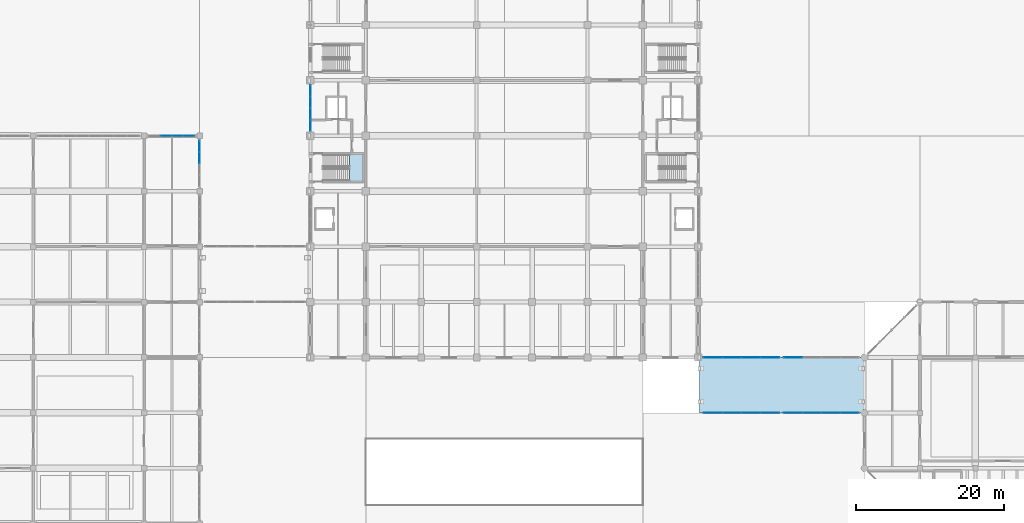
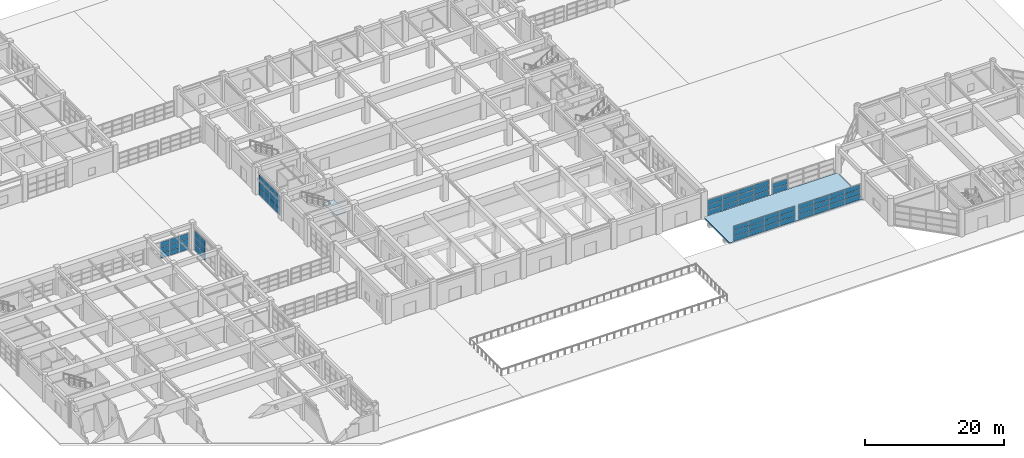
# One storey, part 74 of 122: 65 plates, 2 slabs, 8 elements without a shape of their own.
"""IFC4 building model written with IfcOpenShell, lengths in metres."""

import ifcopenshell
import ifcopenshell.guid

model = None  # the IFC model being written
_history = None  # IfcOwnerHistory: only IFC2X3 demands one
_inside = {}  # id of a spatial element -> (the spatial element, [elements in it])
_under = {}  # id of a project, library or spatial element -> (it, [spatial elements below it])
_declared = {}  # id of a project -> (the project, [libraries it declares])
_typed = {}  # id of a type object -> (the type object, [elements of that type])
_made_of = {}  # id of a material, layer set ... -> (it, [elements and type objects made of it])


def new_model(schema):
    """Start an empty IFC model of exactly this schema.

    Asked for "IFC4X3", IfcOpenShell would pick the latest addendum, in which some entities
    have other attributes; the version numbers below select the first issue.
    IFC2X3 requires an IfcOwnerHistory on every rooted entity: one is made here for all.
    """
    global model, _history
    if schema == "IFC4X3":
        model = ifcopenshell.file(schema_version=(4, 3, 0, 0))
    else:
        model = ifcopenshell.file(schema=schema)
    _inside.clear()
    _under.clear()
    _declared.clear()
    _typed.clear()
    _made_of.clear()
    _history = None
    if model.schema == "IFC2X3":
        org = make("IfcOrganization", Name="unknown")
        user = make(
            "IfcPersonAndOrganization",
            ThePerson=make("IfcPerson", FamilyName="unknown"),
            TheOrganization=org,
        )
        app = make(
            "IfcApplication",
            ApplicationDeveloper=org,
            Version="unknown",
            ApplicationFullName="unknown",
            ApplicationIdentifier="unknown",
        )
        _history = make(
            "IfcOwnerHistory",
            OwningUser=user,
            OwningApplication=app,
            ChangeAction="ADDED",
            CreationDate=0,
        )
    return model


def make(cls, **values):
    """One entity of the class cls with the attributes given. An attribute that is None is left unset."""
    return model.create_entity(
        cls, **{name: value for name, value in values.items() if value is not None}
    )


def rooted(cls, **values):
    """An entity with a GlobalId (a new one), such as an element, a storey or a relation."""
    return make(cls, GlobalId=ifcopenshell.guid.new(), OwnerHistory=_history, **values)


def si_unit(unit_type, name, prefix=None):
    """IfcSIUnit, for example si_unit("LENGTHUNIT", "METRE", prefix="MILLI")."""
    return make("IfcSIUnit", UnitType=unit_type, Prefix=prefix, Name=name)


def assignment(units):
    """IfcUnitAssignment: the units of a project."""
    return None if units is None else make("IfcUnitAssignment", Units=units)


def point(xyz):
    """IfcCartesianPoint."""
    return None if xyz is None else make("IfcCartesianPoint", Coordinates=xyz)


def direction(xyz):
    """IfcDirection."""
    return None if xyz is None else make("IfcDirection", DirectionRatios=xyz)


def frame(location, z_axis=None, x_axis=None):
    """IfcAxis2Placement3D, a coordinate frame: its origin and axes. An axis left out is left unset."""
    return make(
        "IfcAxis2Placement3D",
        Location=point(location),
        Axis=direction(z_axis),
        RefDirection=direction(x_axis),
    )


def frame_2d(location, x_axis=None):
    """IfcAxis2Placement2D, a coordinate frame in the plane: its origin and x axis."""
    return make(
        "IfcAxis2Placement2D", Location=point(location), RefDirection=direction(x_axis)
    )


def origin():
    """The frame at (0, 0, 0) with its axes left unset."""
    return frame((0.0, 0.0, 0.0))


def origin_2d():
    """The frame at (0, 0) in the plane with its x axis left unset."""
    return frame_2d((0.0, 0.0))


def place(relative_to, where):
    """IfcLocalPlacement: puts the frame where relative to a parent placement (None: the world)."""
    return make(
        "IfcLocalPlacement", PlacementRelTo=relative_to, RelativePlacement=where
    )


def context(
    kind, dimensions, precision=None, world=None, true_north=None, identifier=None
):
    """IfcGeometricRepresentationContext, for example the 3D "Model" context."""
    return make(
        "IfcGeometricRepresentationContext",
        ContextIdentifier=identifier,
        ContextType=kind,
        CoordinateSpaceDimension=dimensions,
        Precision=precision,
        WorldCoordinateSystem=world,
        TrueNorth=true_north,
    )


def subcontext(parent, identifier, kind, view, scale=None):
    """IfcGeometricRepresentationSubContext, for example "Body" below "Model"."""
    return make(
        "IfcGeometricRepresentationSubContext",
        ContextIdentifier=identifier,
        ContextType=kind,
        ParentContext=parent,
        TargetScale=scale,
        TargetView=view,
    )


def project(units=None, contexts=None):
    """IfcProject with its units and contexts."""
    return rooted(
        "IfcProject",
        Name="project",
        RepresentationContexts=contexts,
        UnitsInContext=assignment(units),
    )


def spatial(cls, under=None, at=None, **own):
    """A site, building, storey or space (cls), placed at a placement, below another one or the project."""
    s = rooted(cls, ObjectPlacement=at, **own)
    if under is not None:
        _under.setdefault(under.id(), (under, []))[1].append(s)
    return s


def polyline(points):
    """IfcPolyline through the points."""
    return make("IfcPolyline", Points=[point(p) for p in points])


def profile(cls, at=None, kind="AREA", **sizes):
    """A parametric profile (cls). Its sizes go by their IFC names, for example OverallWidth=200.0."""
    return make(cls, ProfileType=kind, Position=at, **sizes)


def rectangle(**sizes):
    """IfcRectangleProfileDef."""
    return profile("IfcRectangleProfileDef", **sizes)


def outline(outer, holes=None, kind="AREA"):
    """IfcArbitraryClosedProfileDef: a profile drawn as a closed curve; with holes, ...WithVoids."""
    if holes is None:
        return make("IfcArbitraryClosedProfileDef", ProfileType=kind, OuterCurve=outer)
    return make(
        "IfcArbitraryProfileDefWithVoids",
        ProfileType=kind,
        OuterCurve=outer,
        InnerCurves=holes,
    )


def extrude(swept, where, along, depth):
    """IfcExtrudedAreaSolid: the profile swept, set in the frame where, extruded along a direction by depth."""
    return make(
        "IfcExtrudedAreaSolid",
        SweptArea=swept,
        Position=where,
        ExtrudedDirection=direction(along),
        Depth=depth,
    )


def shape(context_of_items, identifier, shape_type, items):
    """IfcShapeRepresentation: the items that make up one representation, for example the "Body"."""
    return make(
        "IfcShapeRepresentation",
        ContextOfItems=context_of_items,
        RepresentationIdentifier=identifier,
        RepresentationType=shape_type,
        Items=items,
    )


def material(Name=None, Category=None):
    """IfcMaterial."""
    return make("IfcMaterial", Name=Name, Category=Category)


def layer(
    of_material, thickness, ventilated=None, Name=None, Category=None, Priority=None
):
    """IfcMaterialLayer: one layer of a wall or slab, of a material (None: an air gap)."""
    return make(
        "IfcMaterialLayer",
        Material=of_material,
        LayerThickness=thickness,
        IsVentilated=ventilated,
        Name=Name,
        Category=Category,
        Priority=Priority,
    )


def layer_set(layers, Name=None):
    """IfcMaterialLayerSet."""
    return make("IfcMaterialLayerSet", MaterialLayers=layers, LayerSetName=Name)


def made_of(thing, what):
    """Note that an element or type object is made of a material, layer set ...; save() writes the relation."""
    if what is not None:
        _made_of.setdefault(what.id(), (what, []))[1].append(thing)
    return thing


def type_object(cls, material=None, **own):
    """A type object (cls), such as IfcWallType, which elements share."""
    return made_of(rooted(cls, **own), material)


def element(
    cls,
    number,
    at=None,
    inside=None,
    cuts=None,
    type_object=None,
    material=None,
    context=None,
    identifier="Body",
    shape_type=None,
    held_by="IfcProductDefinitionShape",
    body=None,
    shapes=None,
    **own,
):
    """One element of the class cls, such as IfcWall. Its Tag is "e" and its number.

    at: its placement. inside: the storey or other place that contains it. cuts: it is an
    opening in that element (IfcRelVoidsElement). A single representation is given by context,
    identifier, shape_type and body (its items); several are given by shapes. held_by: the class
    of the entity that holds the representations. save() writes the other relations.
    """
    e = rooted(cls, Tag="e%d" % number, ObjectPlacement=at, **own)
    if body is not None:
        shapes = [shape(context, identifier, shape_type, body)]
    if shapes is not None:
        e.Representation = make(held_by, Representations=shapes)
    if inside is not None:
        _inside.setdefault(inside.id(), (inside, []))[1].append(e)
    if cuts is not None:
        rooted(
            "IfcRelVoidsElement", RelatingBuildingElement=cuts, RelatedOpeningElement=e
        )
    if type_object is not None:
        _typed.setdefault(type_object.id(), (type_object, []))[1].append(e)
    return made_of(e, material)


def aggregate(whole, parts):
    """IfcRelAggregates: a whole, such as a stair, and the parts it consists of."""
    return rooted("IfcRelAggregates", RelatingObject=whole, RelatedObjects=parts)


def save(model, path):
    """Write the relations noted so far, then the file.

    IfcRelAggregates (storeys below a building ...), IfcRelContainedInSpatialStructure (elements
    in a storey), IfcRelDefinesByType, IfcRelAssociatesMaterial and IfcRelDeclares: one each for
    every whole, place, type object, material and project.
    """
    for whole, parts in _under.values():
        aggregate(whole, parts)
    for where, things in _inside.values():
        rooted(
            "IfcRelContainedInSpatialStructure",
            RelatedElements=things,
            RelatingStructure=where,
        )
    for kind, things in _typed.values():
        rooted("IfcRelDefinesByType", RelatedObjects=things, RelatingType=kind)
    for what, things in _made_of.values():
        rooted("IfcRelAssociatesMaterial", RelatedObjects=things, RelatingMaterial=what)
    for by, libraries in _declared.values():
        rooted("IfcRelDeclares", RelatingContext=by, RelatedDefinitions=libraries)
    model.write(path)


model = new_model("IFC4")

# Units and contexts
model_context = context("Model", 3, precision=1e-05, world=origin(), true_north=direction((0.0, 1.0)))
body_context = subcontext(model_context, "Body", "Model", "MODEL_VIEW")
ifc_project = project(units=[si_unit("LENGTHUNIT", "METRE"), si_unit("AREAUNIT", "SQUARE_METRE"), si_unit("VOLUMEUNIT", "CUBIC_METRE"), si_unit("PLANEANGLEUNIT", "RADIAN"), si_unit("MASSUNIT", "GRAM", prefix="KILO")], contexts=[model_context])

# Site, building, storey
site_placement = place(None, origin())
site = spatial("IfcSite", under=ifc_project, at=site_placement, CompositionType="ELEMENT")
building_placement = place(site_placement, origin())
building = spatial("IfcBuilding", under=site, at=building_placement, Name="Qasida Concert Hall", CompositionType="ELEMENT")
storey_placement = place(building_placement, origin())
storey = spatial("IfcBuildingStorey", under=building, at=storey_placement, Name="L00", CompositionType="ELEMENT", Elevation=0.0)

# Curtain wall, plates
ifc_material_1 = material(Name="Architectural bronze-anodized aluminium and low-E glass", Category="aluminium")
curtain_wall_type_1 = type_object("IfcCurtainWallType", Name="CW-01", PredefinedType="NOTDEFINED", material=ifc_material_1)
curtain_wall_1_placement = place(storey_placement, origin())
curtain_wall_1 = element("IfcCurtainWall", 1, at=curtain_wall_1_placement, inside=storey, type_object=curtain_wall_type_1, Name="L00 curtain wall CW-01 0039", PredefinedType="NOTDEFINED")
ifc_material_2 = material(Name="Solar-control low-E double glazing", Category="glass")
ifc_layer_1 = layer(ifc_material_2, 0.035888671875, Name="Solar-control low-E double glazing")
ifc_layer_set_1 = layer_set([ifc_layer_1], Name="Solar-control low-E double glazing")
plate_type_1 = type_object("IfcPlateType", Name="PLT-CWP-1", PredefinedType="CURTAIN_PANEL", material=ifc_layer_set_1)
plate_1_placement = place(storey_placement, frame((52.5, 53.919921875, 0.06494140625), z_axis=(0.0, 0.0, 1.0), x_axis=(0.0, 1.0, 0.0)))
plate_1 = element("IfcPlate", 2, at=plate_1_placement, type_object=plate_type_1, Name="CW-01 panel 1.1", PredefinedType="CURTAIN_PANEL", context=body_context, shape_type="SweptSolid", body=[
    extrude(rectangle(XDim=1.4599609375, YDim=0.035888671875, at=origin_2d()), origin(), (0.0, 0.0, 1.0), 1.125732421875),
])
plate_2_placement = place(storey_placement, frame((52.5, 53.919921875, 1.255859375), z_axis=(0.0, 0.0, 1.0), x_axis=(0.0, 1.0, 0.0)))
plate_2 = element("IfcPlate", 3, at=plate_2_placement, type_object=plate_type_1, Name="CW-01 panel 1.2", PredefinedType="CURTAIN_PANEL", context=body_context, shape_type="SweptSolid", body=[
    extrude(rectangle(XDim=1.4599609375, YDim=0.035888671875, at=origin_2d()), origin(), (0.0, 0.0, 1.0), 1.158447265625),
])
plate_3_placement = place(storey_placement, frame((52.5, 53.919921875, 2.47900390625), z_axis=(0.0, 0.0, 1.0), x_axis=(0.0, 1.0, 0.0)))
plate_3 = element("IfcPlate", 4, at=plate_3_placement, type_object=plate_type_1, Name="CW-01 panel 1.3", PredefinedType="CURTAIN_PANEL", context=body_context, shape_type="SweptSolid", body=[
    extrude(rectangle(XDim=1.4599609375, YDim=0.035888671875, at=origin_2d()), origin(), (0.0, 0.0, 1.0), 1.125732421875),
])
plate_4_placement = place(storey_placement, frame((52.5, 55.467529296875, 0.06494140625), z_axis=(0.0, 0.0, 1.0), x_axis=(0.0, 1.0, 0.0)))
plate_4 = element("IfcPlate", 5, at=plate_4_placement, type_object=plate_type_1, Name="CW-01 panel 2.1", PredefinedType="CURTAIN_PANEL", context=body_context, shape_type="SweptSolid", body=[
    extrude(rectangle(XDim=1.4951171875, YDim=0.035888671875, at=origin_2d()), origin(), (0.0, 0.0, 1.0), 1.125732421875),
])
plate_5_placement = place(storey_placement, frame((52.5, 55.467529296875, 1.255859375), z_axis=(0.0, 0.0, 1.0), x_axis=(0.0, 1.0, 0.0)))
plate_5 = element("IfcPlate", 6, at=plate_5_placement, type_object=plate_type_1, Name="CW-01 panel 2.2", PredefinedType="CURTAIN_PANEL", context=body_context, shape_type="SweptSolid", body=[
    extrude(rectangle(XDim=1.4951171875, YDim=0.035888671875, at=origin_2d()), origin(), (0.0, 0.0, 1.0), 1.158447265625),
])
plate_6_placement = place(storey_placement, frame((52.5, 55.467529296875, 2.47900390625), z_axis=(0.0, 0.0, 1.0), x_axis=(0.0, 1.0, 0.0)))
plate_6 = element("IfcPlate", 7, at=plate_6_placement, type_object=plate_type_1, Name="CW-01 panel 2.3", PredefinedType="CURTAIN_PANEL", context=body_context, shape_type="SweptSolid", body=[
    extrude(rectangle(XDim=1.4951171875, YDim=0.035888671875, at=origin_2d()), origin(), (0.0, 0.0, 1.0), 1.125732421875),
])
plate_7_placement = place(storey_placement, frame((52.5, 57.032470703125, 0.06494140625), z_axis=(0.0, 0.0, 1.0), x_axis=(0.0, 1.0, 0.0)))
plate_7 = element("IfcPlate", 8, at=plate_7_placement, type_object=plate_type_1, Name="CW-01 panel 3.1", PredefinedType="CURTAIN_PANEL", context=body_context, shape_type="SweptSolid", body=[
    extrude(rectangle(XDim=1.4951171875, YDim=0.035888671875, at=origin_2d()), origin(), (0.0, 0.0, 1.0), 1.125732421875),
])
plate_8_placement = place(storey_placement, frame((52.5, 57.032470703125, 1.255859375), z_axis=(0.0, 0.0, 1.0), x_axis=(0.0, 1.0, 0.0)))
plate_8 = element("IfcPlate", 9, at=plate_8_placement, type_object=plate_type_1, Name="CW-01 panel 3.2", PredefinedType="CURTAIN_PANEL", context=body_context, shape_type="SweptSolid", body=[
    extrude(rectangle(XDim=1.4951171875, YDim=0.035888671875, at=origin_2d()), origin(), (0.0, 0.0, 1.0), 1.158447265625),
])
plate_9_placement = place(storey_placement, frame((52.5, 57.032470703125, 2.47900390625), z_axis=(0.0, 0.0, 1.0), x_axis=(0.0, 1.0, 0.0)))
plate_9 = element("IfcPlate", 10, at=plate_9_placement, type_object=plate_type_1, Name="CW-01 panel 3.3", PredefinedType="CURTAIN_PANEL", context=body_context, shape_type="SweptSolid", body=[
    extrude(rectangle(XDim=1.4951171875, YDim=0.035888671875, at=origin_2d()), origin(), (0.0, 0.0, 1.0), 1.125732421875),
])
plate_10_placement = place(storey_placement, frame((52.5, 58.580078125, 0.06494140625), z_axis=(0.0, 0.0, 1.0), x_axis=(0.0, 1.0, 0.0)))
plate_10 = element("IfcPlate", 11, at=plate_10_placement, type_object=plate_type_1, Name="CW-01 panel 4.1", PredefinedType="CURTAIN_PANEL", context=body_context, shape_type="SweptSolid", body=[
    extrude(rectangle(XDim=1.4599609375, YDim=0.035888671875, at=origin_2d()), origin(), (0.0, 0.0, 1.0), 1.125732421875),
])
plate_11_placement = place(storey_placement, frame((52.5, 58.580078125, 1.255859375), z_axis=(0.0, 0.0, 1.0), x_axis=(0.0, 1.0, 0.0)))
plate_11 = element("IfcPlate", 12, at=plate_11_placement, type_object=plate_type_1, Name="CW-01 panel 4.2", PredefinedType="CURTAIN_PANEL", context=body_context, shape_type="SweptSolid", body=[
    extrude(rectangle(XDim=1.4599609375, YDim=0.035888671875, at=origin_2d()), origin(), (0.0, 0.0, 1.0), 1.158447265625),
])
plate_12_placement = place(storey_placement, frame((52.5, 58.580078125, 2.47900390625), z_axis=(0.0, 0.0, 1.0), x_axis=(0.0, 1.0, 0.0)))
plate_12 = element("IfcPlate", 13, at=plate_12_placement, type_object=plate_type_1, Name="CW-01 panel 4.3", PredefinedType="CURTAIN_PANEL", context=body_context, shape_type="SweptSolid", body=[
    extrude(rectangle(XDim=1.4599609375, YDim=0.035888671875, at=origin_2d()), origin(), (0.0, 0.0, 1.0), 1.125732421875),
])
aggregate(curtain_wall_1, [plate_1, plate_2, plate_3, plate_4, plate_5, plate_6, plate_7, plate_8, plate_9, plate_10, plate_11, plate_12])

curtain_wall_type_2 = type_object("IfcCurtainWallType", Name="CW-07", PredefinedType="NOTDEFINED", material=ifc_material_1)
curtain_wall_2_placement = place(storey_placement, origin())
curtain_wall_2 = element("IfcCurtainWall", 14, at=curtain_wall_2_placement, inside=storey, type_object=curtain_wall_type_2, Name="L00 link bridge glazing 0230", PredefinedType="NOTDEFINED")
ifc_layer_2 = layer(ifc_material_2, 0.031982421875, Name="Solar-control low-E double glazing")
ifc_layer_set_2 = layer_set([ifc_layer_2], Name="Solar-control low-E double glazing")
plate_type_2 = type_object("IfcPlateType", Name="PLT-CWP-2", PredefinedType="CURTAIN_PANEL", material=ifc_layer_set_2)
plate_13_placement = place(storey_placement, frame((107.003662109375, 15.0, 0.06005859375), z_axis=(0.0, 0.0, 1.0), x_axis=(1.0, 0.0, 0.0)))
plate_13 = element("IfcPlate", 15, at=plate_13_placement, type_object=plate_type_2, Name="CW-07 panel 1.1", PredefinedType="CURTAIN_PANEL", context=body_context, shape_type="SweptSolid", body=[
    extrude(rectangle(XDim=2.4775390625, YDim=0.031982421875, at=origin_2d()), origin(), (0.0, 0.0, 1.0), 0.860107421875),
])
plate_14_placement = place(storey_placement, frame((107.003662109375, 15.0, 0.97998046875), z_axis=(0.0, 0.0, 1.0), x_axis=(1.0, 0.0, 0.0)))
plate_14 = element("IfcPlate", 16, at=plate_14_placement, type_object=plate_type_2, Name="CW-07 panel 1.2", PredefinedType="CURTAIN_PANEL", context=body_context, shape_type="SweptSolid", body=[
    extrude(rectangle(XDim=2.4775390625, YDim=0.031982421875, at=origin_2d()), origin(), (0.0, 0.0, 1.0), 0.889892578125),
])
plate_15_placement = place(storey_placement, frame((107.003662109375, 15.0, 1.929931640625), z_axis=(0.0, 0.0, 1.0), x_axis=(1.0, 0.0, 0.0)))
plate_15 = element("IfcPlate", 17, at=plate_15_placement, type_object=plate_type_2, Name="CW-07 panel 1.3", PredefinedType="CURTAIN_PANEL", context=body_context, shape_type="SweptSolid", body=[
    extrude(rectangle(XDim=2.4775390625, YDim=0.031982421875, at=origin_2d()), origin(), (0.0, 0.0, 1.0), 0.81005859375),
])
plate_16_placement = place(storey_placement, frame((109.5625, 15.0, 0.06005859375), z_axis=(0.0, 0.0, 1.0), x_axis=(1.0, 0.0, 0.0)))
plate_16 = element("IfcPlate", 18, at=plate_16_placement, type_object=plate_type_2, Name="CW-07 panel 2.1", PredefinedType="CURTAIN_PANEL", context=body_context, shape_type="SweptSolid", body=[
    extrude(rectangle(XDim=2.510009765625, YDim=0.031982421875, at=origin_2d()), origin(), (0.0, 0.0, 1.0), 0.860107421875),
])
plate_17_placement = place(storey_placement, frame((109.5625, 15.0, 0.97998046875), z_axis=(0.0, 0.0, 1.0), x_axis=(1.0, 0.0, 0.0)))
plate_17 = element("IfcPlate", 19, at=plate_17_placement, type_object=plate_type_2, Name="CW-07 panel 2.2", PredefinedType="CURTAIN_PANEL", context=body_context, shape_type="SweptSolid", body=[
    extrude(rectangle(XDim=2.510009765625, YDim=0.031982421875, at=origin_2d()), origin(), (0.0, 0.0, 1.0), 0.889892578125),
])
plate_18_placement = place(storey_placement, frame((109.5625, 15.0, 1.929931640625), z_axis=(0.0, 0.0, 1.0), x_axis=(1.0, 0.0, 0.0)))
plate_18 = element("IfcPlate", 20, at=plate_18_placement, type_object=plate_type_2, Name="CW-07 panel 2.3", PredefinedType="CURTAIN_PANEL", context=body_context, shape_type="SweptSolid", body=[
    extrude(rectangle(XDim=2.510009765625, YDim=0.031982421875, at=origin_2d()), origin(), (0.0, 0.0, 1.0), 0.81005859375),
])
plate_19_placement = place(storey_placement, frame((112.137451171875, 15.0, 0.06005859375), z_axis=(0.0, 0.0, 1.0), x_axis=(1.0, 0.0, 0.0)))
plate_19 = element("IfcPlate", 21, at=plate_19_placement, type_object=plate_type_2, Name="CW-07 panel 3.1", PredefinedType="CURTAIN_PANEL", context=body_context, shape_type="SweptSolid", body=[
    extrude(rectangle(XDim=2.510009765625, YDim=0.031982421875, at=origin_2d()), origin(), (0.0, 0.0, 1.0), 0.860107421875),
])
plate_20_placement = place(storey_placement, frame((112.137451171875, 15.0, 0.97998046875), z_axis=(0.0, 0.0, 1.0), x_axis=(1.0, 0.0, 0.0)))
plate_20 = element("IfcPlate", 22, at=plate_20_placement, type_object=plate_type_2, Name="CW-07 panel 3.2", PredefinedType="CURTAIN_PANEL", context=body_context, shape_type="SweptSolid", body=[
    extrude(rectangle(XDim=2.510009765625, YDim=0.031982421875, at=origin_2d()), origin(), (0.0, 0.0, 1.0), 0.889892578125),
])
plate_21_placement = place(storey_placement, frame((112.137451171875, 15.0, 1.929931640625), z_axis=(0.0, 0.0, 1.0), x_axis=(1.0, 0.0, 0.0)))
plate_21 = element("IfcPlate", 23, at=plate_21_placement, type_object=plate_type_2, Name="CW-07 panel 3.3", PredefinedType="CURTAIN_PANEL", context=body_context, shape_type="SweptSolid", body=[
    extrude(rectangle(XDim=2.510009765625, YDim=0.031982421875, at=origin_2d()), origin(), (0.0, 0.0, 1.0), 0.81005859375),
])
plate_22_placement = place(storey_placement, frame((114.6962890625, 15.0, 0.06005859375), z_axis=(0.0, 0.0, 1.0), x_axis=(1.0, 0.0, 0.0)))
plate_22 = element("IfcPlate", 24, at=plate_22_placement, type_object=plate_type_2, Name="CW-07 panel 4.1", PredefinedType="CURTAIN_PANEL", context=body_context, shape_type="SweptSolid", body=[
    extrude(rectangle(XDim=2.4775390625, YDim=0.031982421875, at=origin_2d()), origin(), (0.0, 0.0, 1.0), 0.860107421875),
])
plate_23_placement = place(storey_placement, frame((114.6962890625, 15.0, 0.97998046875), z_axis=(0.0, 0.0, 1.0), x_axis=(1.0, 0.0, 0.0)))
plate_23 = element("IfcPlate", 25, at=plate_23_placement, type_object=plate_type_2, Name="CW-07 panel 4.2", PredefinedType="CURTAIN_PANEL", context=body_context, shape_type="SweptSolid", body=[
    extrude(rectangle(XDim=2.4775390625, YDim=0.031982421875, at=origin_2d()), origin(), (0.0, 0.0, 1.0), 0.889892578125),
])
plate_24_placement = place(storey_placement, frame((114.6962890625, 15.0, 1.929931640625), z_axis=(0.0, 0.0, 1.0), x_axis=(1.0, 0.0, 0.0)))
plate_24 = element("IfcPlate", 26, at=plate_24_placement, type_object=plate_type_2, Name="CW-07 panel 4.3", PredefinedType="CURTAIN_PANEL", context=body_context, shape_type="SweptSolid", body=[
    extrude(rectangle(XDim=2.4775390625, YDim=0.031982421875, at=origin_2d()), origin(), (0.0, 0.0, 1.0), 0.81005859375),
])
aggregate(curtain_wall_2, [plate_13, plate_14, plate_15, plate_16, plate_17, plate_18, plate_19, plate_20, plate_21, plate_22, plate_23, plate_24])

curtain_wall_3_placement = place(storey_placement, origin())
curtain_wall_3 = element("IfcCurtainWall", 27, at=curtain_wall_3_placement, inside=storey, type_object=curtain_wall_type_2, Name="L00 link bridge glazing 0231", PredefinedType="NOTDEFINED")
plate_25_placement = place(storey_placement, frame((107.003662109375, 22.5, 0.06005859375), z_axis=(0.0, 0.0, 1.0), x_axis=(1.0, 0.0, 0.0)))
plate_25 = element("IfcPlate", 28, at=plate_25_placement, type_object=plate_type_2, Name="CW-07 panel 1.1", PredefinedType="CURTAIN_PANEL", context=body_context, shape_type="SweptSolid", body=[
    extrude(rectangle(XDim=2.4775390625, YDim=0.031982421875, at=origin_2d()), origin(), (0.0, 0.0, 1.0), 0.860107421875),
])
plate_26_placement = place(storey_placement, frame((107.003662109375, 22.5, 0.97998046875), z_axis=(0.0, 0.0, 1.0), x_axis=(1.0, 0.0, 0.0)))
plate_26 = element("IfcPlate", 29, at=plate_26_placement, type_object=plate_type_2, Name="CW-07 panel 1.2", PredefinedType="CURTAIN_PANEL", context=body_context, shape_type="SweptSolid", body=[
    extrude(rectangle(XDim=2.4775390625, YDim=0.031982421875, at=origin_2d()), origin(), (0.0, 0.0, 1.0), 0.889892578125),
])
plate_27_placement = place(storey_placement, frame((107.003662109375, 22.5, 1.929931640625), z_axis=(0.0, 0.0, 1.0), x_axis=(1.0, 0.0, 0.0)))
plate_27 = element("IfcPlate", 30, at=plate_27_placement, type_object=plate_type_2, Name="CW-07 panel 1.3", PredefinedType="CURTAIN_PANEL", context=body_context, shape_type="SweptSolid", body=[
    extrude(rectangle(XDim=2.4775390625, YDim=0.031982421875, at=origin_2d()), origin(), (0.0, 0.0, 1.0), 0.81005859375),
])
plate_28_placement = place(storey_placement, frame((109.5625, 22.5, 0.06005859375), z_axis=(0.0, 0.0, 1.0), x_axis=(1.0, 0.0, 0.0)))
plate_28 = element("IfcPlate", 31, at=plate_28_placement, type_object=plate_type_2, Name="CW-07 panel 2.1", PredefinedType="CURTAIN_PANEL", context=body_context, shape_type="SweptSolid", body=[
    extrude(rectangle(XDim=2.510009765625, YDim=0.031982421875, at=origin_2d()), origin(), (0.0, 0.0, 1.0), 0.860107421875),
])
plate_29_placement = place(storey_placement, frame((109.5625, 22.5, 0.97998046875), z_axis=(0.0, 0.0, 1.0), x_axis=(1.0, 0.0, 0.0)))
plate_29 = element("IfcPlate", 32, at=plate_29_placement, type_object=plate_type_2, Name="CW-07 panel 2.2", PredefinedType="CURTAIN_PANEL", context=body_context, shape_type="SweptSolid", body=[
    extrude(rectangle(XDim=2.510009765625, YDim=0.031982421875, at=origin_2d()), origin(), (0.0, 0.0, 1.0), 0.889892578125),
])
plate_30_placement = place(storey_placement, frame((109.5625, 22.5, 1.929931640625), z_axis=(0.0, 0.0, 1.0), x_axis=(1.0, 0.0, 0.0)))
plate_30 = element("IfcPlate", 33, at=plate_30_placement, type_object=plate_type_2, Name="CW-07 panel 2.3", PredefinedType="CURTAIN_PANEL", context=body_context, shape_type="SweptSolid", body=[
    extrude(rectangle(XDim=2.510009765625, YDim=0.031982421875, at=origin_2d()), origin(), (0.0, 0.0, 1.0), 0.81005859375),
])
plate_31_placement = place(storey_placement, frame((112.137451171875, 22.5, 0.06005859375), z_axis=(0.0, 0.0, 1.0), x_axis=(1.0, 0.0, 0.0)))
plate_31 = element("IfcPlate", 34, at=plate_31_placement, type_object=plate_type_2, Name="CW-07 panel 3.1", PredefinedType="CURTAIN_PANEL", context=body_context, shape_type="SweptSolid", body=[
    extrude(rectangle(XDim=2.510009765625, YDim=0.031982421875, at=origin_2d()), origin(), (0.0, 0.0, 1.0), 0.860107421875),
])
plate_32_placement = place(storey_placement, frame((112.137451171875, 22.5, 0.97998046875), z_axis=(0.0, 0.0, 1.0), x_axis=(1.0, 0.0, 0.0)))
plate_32 = element("IfcPlate", 35, at=plate_32_placement, type_object=plate_type_2, Name="CW-07 panel 3.2", PredefinedType="CURTAIN_PANEL", context=body_context, shape_type="SweptSolid", body=[
    extrude(rectangle(XDim=2.510009765625, YDim=0.031982421875, at=origin_2d()), origin(), (0.0, 0.0, 1.0), 0.889892578125),
])
plate_33_placement = place(storey_placement, frame((112.137451171875, 22.5, 1.929931640625), z_axis=(0.0, 0.0, 1.0), x_axis=(1.0, 0.0, 0.0)))
plate_33 = element("IfcPlate", 36, at=plate_33_placement, type_object=plate_type_2, Name="CW-07 panel 3.3", PredefinedType="CURTAIN_PANEL", context=body_context, shape_type="SweptSolid", body=[
    extrude(rectangle(XDim=2.510009765625, YDim=0.031982421875, at=origin_2d()), origin(), (0.0, 0.0, 1.0), 0.81005859375),
])
plate_34_placement = place(storey_placement, frame((114.6962890625, 22.5, 0.06005859375), z_axis=(0.0, 0.0, 1.0), x_axis=(1.0, 0.0, 0.0)))
plate_34 = element("IfcPlate", 37, at=plate_34_placement, type_object=plate_type_2, Name="CW-07 panel 4.1", PredefinedType="CURTAIN_PANEL", context=body_context, shape_type="SweptSolid", body=[
    extrude(rectangle(XDim=2.4775390625, YDim=0.031982421875, at=origin_2d()), origin(), (0.0, 0.0, 1.0), 0.860107421875),
])
plate_35_placement = place(storey_placement, frame((114.6962890625, 22.5, 0.97998046875), z_axis=(0.0, 0.0, 1.0), x_axis=(1.0, 0.0, 0.0)))
plate_35 = element("IfcPlate", 38, at=plate_35_placement, type_object=plate_type_2, Name="CW-07 panel 4.2", PredefinedType="CURTAIN_PANEL", context=body_context, shape_type="SweptSolid", body=[
    extrude(rectangle(XDim=2.4775390625, YDim=0.031982421875, at=origin_2d()), origin(), (0.0, 0.0, 1.0), 0.889892578125),
])
plate_36_placement = place(storey_placement, frame((114.6962890625, 22.5, 1.929931640625), z_axis=(0.0, 0.0, 1.0), x_axis=(1.0, 0.0, 0.0)))
plate_36 = element("IfcPlate", 39, at=plate_36_placement, type_object=plate_type_2, Name="CW-07 panel 4.3", PredefinedType="CURTAIN_PANEL", context=body_context, shape_type="SweptSolid", body=[
    extrude(rectangle(XDim=2.4775390625, YDim=0.031982421875, at=origin_2d()), origin(), (0.0, 0.0, 1.0), 0.81005859375),
])
aggregate(curtain_wall_3, [plate_25, plate_26, plate_27, plate_28, plate_29, plate_30, plate_31, plate_32, plate_33, plate_34, plate_35, plate_36])

curtain_wall_4_placement = place(storey_placement, origin())
curtain_wall_4 = element("IfcCurtainWall", 40, at=curtain_wall_4_placement, inside=storey, type_object=curtain_wall_type_2, Name="L00 link bridge glazing 0232", PredefinedType="NOTDEFINED")
plate_37_placement = place(storey_placement, frame((117.8037109375, 15.0, 0.06005859375), z_axis=(0.0, 0.0, 1.0), x_axis=(1.0, 0.0, 0.0)))
plate_37 = element("IfcPlate", 41, at=plate_37_placement, type_object=plate_type_2, Name="CW-07 panel 1.1", PredefinedType="CURTAIN_PANEL", context=body_context, shape_type="SweptSolid", body=[
    extrude(rectangle(XDim=2.4775390625, YDim=0.031982421875, at=origin_2d()), origin(), (0.0, 0.0, 1.0), 0.860107421875),
])
plate_38_placement = place(storey_placement, frame((117.8037109375, 15.0, 0.97998046875), z_axis=(0.0, 0.0, 1.0), x_axis=(1.0, 0.0, 0.0)))
plate_38 = element("IfcPlate", 42, at=plate_38_placement, type_object=plate_type_2, Name="CW-07 panel 1.2", PredefinedType="CURTAIN_PANEL", context=body_context, shape_type="SweptSolid", body=[
    extrude(rectangle(XDim=2.4775390625, YDim=0.031982421875, at=origin_2d()), origin(), (0.0, 0.0, 1.0), 0.889892578125),
])
plate_39_placement = place(storey_placement, frame((117.8037109375, 15.0, 1.929931640625), z_axis=(0.0, 0.0, 1.0), x_axis=(1.0, 0.0, 0.0)))
plate_39 = element("IfcPlate", 43, at=plate_39_placement, type_object=plate_type_2, Name="CW-07 panel 1.3", PredefinedType="CURTAIN_PANEL", context=body_context, shape_type="SweptSolid", body=[
    extrude(rectangle(XDim=2.4775390625, YDim=0.031982421875, at=origin_2d()), origin(), (0.0, 0.0, 1.0), 0.81005859375),
])
plate_40_placement = place(storey_placement, frame((120.362548828125, 15.0, 0.06005859375), z_axis=(0.0, 0.0, 1.0), x_axis=(1.0, 0.0, 0.0)))
plate_40 = element("IfcPlate", 44, at=plate_40_placement, type_object=plate_type_2, Name="CW-07 panel 2.1", PredefinedType="CURTAIN_PANEL", context=body_context, shape_type="SweptSolid", body=[
    extrude(rectangle(XDim=2.510009765625, YDim=0.031982421875, at=origin_2d()), origin(), (0.0, 0.0, 1.0), 0.860107421875),
])
plate_41_placement = place(storey_placement, frame((120.362548828125, 15.0, 0.97998046875), z_axis=(0.0, 0.0, 1.0), x_axis=(1.0, 0.0, 0.0)))
plate_41 = element("IfcPlate", 45, at=plate_41_placement, type_object=plate_type_2, Name="CW-07 panel 2.2", PredefinedType="CURTAIN_PANEL", context=body_context, shape_type="SweptSolid", body=[
    extrude(rectangle(XDim=2.510009765625, YDim=0.031982421875, at=origin_2d()), origin(), (0.0, 0.0, 1.0), 0.889892578125),
])
plate_42_placement = place(storey_placement, frame((120.362548828125, 15.0, 1.929931640625), z_axis=(0.0, 0.0, 1.0), x_axis=(1.0, 0.0, 0.0)))
plate_42 = element("IfcPlate", 46, at=plate_42_placement, type_object=plate_type_2, Name="CW-07 panel 2.3", PredefinedType="CURTAIN_PANEL", context=body_context, shape_type="SweptSolid", body=[
    extrude(rectangle(XDim=2.510009765625, YDim=0.031982421875, at=origin_2d()), origin(), (0.0, 0.0, 1.0), 0.81005859375),
])
plate_43_placement = place(storey_placement, frame((122.9375, 15.0, 0.06005859375), z_axis=(0.0, 0.0, 1.0), x_axis=(1.0, 0.0, 0.0)))
plate_43 = element("IfcPlate", 47, at=plate_43_placement, type_object=plate_type_2, Name="CW-07 panel 3.1", PredefinedType="CURTAIN_PANEL", context=body_context, shape_type="SweptSolid", body=[
    extrude(rectangle(XDim=2.510009765625, YDim=0.031982421875, at=origin_2d()), origin(), (0.0, 0.0, 1.0), 0.860107421875),
])
plate_44_placement = place(storey_placement, frame((122.9375, 15.0, 0.97998046875), z_axis=(0.0, 0.0, 1.0), x_axis=(1.0, 0.0, 0.0)))
plate_44 = element("IfcPlate", 48, at=plate_44_placement, type_object=plate_type_2, Name="CW-07 panel 3.2", PredefinedType="CURTAIN_PANEL", context=body_context, shape_type="SweptSolid", body=[
    extrude(rectangle(XDim=2.510009765625, YDim=0.031982421875, at=origin_2d()), origin(), (0.0, 0.0, 1.0), 0.889892578125),
])
plate_45_placement = place(storey_placement, frame((122.9375, 15.0, 1.929931640625), z_axis=(0.0, 0.0, 1.0), x_axis=(1.0, 0.0, 0.0)))
plate_45 = element("IfcPlate", 49, at=plate_45_placement, type_object=plate_type_2, Name="CW-07 panel 3.3", PredefinedType="CURTAIN_PANEL", context=body_context, shape_type="SweptSolid", body=[
    extrude(rectangle(XDim=2.510009765625, YDim=0.031982421875, at=origin_2d()), origin(), (0.0, 0.0, 1.0), 0.81005859375),
])
plate_46_placement = place(storey_placement, frame((125.496337890625, 15.0, 0.06005859375), z_axis=(0.0, 0.0, 1.0), x_axis=(1.0, 0.0, 0.0)))
plate_46 = element("IfcPlate", 50, at=plate_46_placement, type_object=plate_type_2, Name="CW-07 panel 4.1", PredefinedType="CURTAIN_PANEL", context=body_context, shape_type="SweptSolid", body=[
    extrude(rectangle(XDim=2.4775390625, YDim=0.031982421875, at=origin_2d()), origin(), (0.0, 0.0, 1.0), 0.860107421875),
])
plate_47_placement = place(storey_placement, frame((125.496337890625, 15.0, 0.97998046875), z_axis=(0.0, 0.0, 1.0), x_axis=(1.0, 0.0, 0.0)))
plate_47 = element("IfcPlate", 51, at=plate_47_placement, type_object=plate_type_2, Name="CW-07 panel 4.2", PredefinedType="CURTAIN_PANEL", context=body_context, shape_type="SweptSolid", body=[
    extrude(rectangle(XDim=2.4775390625, YDim=0.031982421875, at=origin_2d()), origin(), (0.0, 0.0, 1.0), 0.889892578125),
])
plate_48_placement = place(storey_placement, frame((125.496337890625, 15.0, 1.929931640625), z_axis=(0.0, 0.0, 1.0), x_axis=(1.0, 0.0, 0.0)))
plate_48 = element("IfcPlate", 52, at=plate_48_placement, type_object=plate_type_2, Name="CW-07 panel 4.3", PredefinedType="CURTAIN_PANEL", context=body_context, shape_type="SweptSolid", body=[
    extrude(rectangle(XDim=2.4775390625, YDim=0.031982421875, at=origin_2d()), origin(), (0.0, 0.0, 1.0), 0.81005859375),
])
aggregate(curtain_wall_4, [plate_37, plate_38, plate_39, plate_40, plate_41, plate_42, plate_43, plate_44, plate_45, plate_46, plate_47, plate_48])

curtain_wall_5_placement = place(storey_placement, origin())
curtain_wall_5 = element("IfcCurtainWall", 53, at=curtain_wall_5_placement, inside=storey, type_object=curtain_wall_type_2, Name="L00 link bridge glazing 0233", PredefinedType="NOTDEFINED")
plate_49_placement = place(storey_placement, frame((117.8037109375, 22.5, 0.06005859375), z_axis=(0.0, 0.0, 1.0), x_axis=(1.0, 0.0, 0.0)))
plate_49 = element("IfcPlate", 54, at=plate_49_placement, type_object=plate_type_2, Name="CW-07 panel 1.1", PredefinedType="CURTAIN_PANEL", context=body_context, shape_type="SweptSolid", body=[
    extrude(rectangle(XDim=2.4775390625, YDim=0.031982421875, at=origin_2d()), origin(), (0.0, 0.0, 1.0), 0.860107421875),
])
plate_50_placement = place(storey_placement, frame((117.8037109375, 22.5, 0.97998046875), z_axis=(0.0, 0.0, 1.0), x_axis=(1.0, 0.0, 0.0)))
plate_50 = element("IfcPlate", 55, at=plate_50_placement, type_object=plate_type_2, Name="CW-07 panel 1.2", PredefinedType="CURTAIN_PANEL", context=body_context, shape_type="SweptSolid", body=[
    extrude(rectangle(XDim=2.4775390625, YDim=0.031982421875, at=origin_2d()), origin(), (0.0, 0.0, 1.0), 0.889892578125),
])
aggregate(curtain_wall_5, [plate_49, plate_50])

curtain_wall_type_3 = type_object("IfcCurtainWallType", Name="CW-06", PredefinedType="NOTDEFINED", material=ifc_material_1)
curtain_wall_6_placement = place(storey_placement, origin())
curtain_wall_6 = element("IfcCurtainWall", 56, at=curtain_wall_6_placement, inside=storey, type_object=curtain_wall_type_3, Name="L00 curtain wall CW-06 0072", PredefinedType="NOTDEFINED")
ifc_layer_3 = layer(ifc_material_2, 0.0400390625, Name="Solar-control low-E double glazing")
ifc_layer_set_3 = layer_set([ifc_layer_3], Name="Solar-control low-E double glazing")
plate_type_3 = type_object("IfcPlateType", Name="PLT-CWP-4", PredefinedType="CURTAIN_PANEL", material=ifc_layer_set_3)
plate_51_placement = place(storey_placement, frame((32.967529296875, 52.5, 0.06494140625), z_axis=(0.0, 0.0, 1.0), x_axis=(1.0, 0.0, 0.0)))
plate_51 = element("IfcPlate", 57, at=plate_51_placement, type_object=plate_type_3, Name="CW-06 panel 2.1", PredefinedType="CURTAIN_PANEL", context=body_context, shape_type="SweptSolid", body=[
    extrude(rectangle(XDim=1.4951171875, YDim=0.0400390625, at=origin_2d()), origin(), (0.0, 0.0, 1.0), 0.892578125),
])
plate_52_placement = place(storey_placement, frame((32.967529296875, 52.5, 1.0224609375), z_axis=(0.0, 0.0, 1.0), x_axis=(1.0, 0.0, 0.0)))
plate_52 = element("IfcPlate", 58, at=plate_52_placement, type_object=plate_type_3, Name="CW-06 panel 2.2", PredefinedType="CURTAIN_PANEL", context=body_context, shape_type="SweptSolid", body=[
    extrude(rectangle(XDim=1.4951171875, YDim=0.0400390625, at=origin_2d()), origin(), (0.0, 0.0, 1.0), 0.925048828125),
])
plate_53_placement = place(storey_placement, frame((32.967529296875, 52.5, 2.012451171875), z_axis=(0.0, 0.0, 1.0), x_axis=(1.0, 0.0, 0.0)))
plate_53 = element("IfcPlate", 59, at=plate_53_placement, type_object=plate_type_3, Name="CW-06 panel 2.3", PredefinedType="CURTAIN_PANEL", context=body_context, shape_type="SweptSolid", body=[
    extrude(rectangle(XDim=1.4951171875, YDim=0.0400390625, at=origin_2d()), origin(), (0.0, 0.0, 1.0), 0.892578125),
])
plate_54_placement = place(storey_placement, frame((34.532470703125, 52.5, 0.06494140625), z_axis=(0.0, 0.0, 1.0), x_axis=(1.0, 0.0, 0.0)))
plate_54 = element("IfcPlate", 60, at=plate_54_placement, type_object=plate_type_3, Name="CW-06 panel 3.1", PredefinedType="CURTAIN_PANEL", context=body_context, shape_type="SweptSolid", body=[
    extrude(rectangle(XDim=1.4951171875, YDim=0.0400390625, at=origin_2d()), origin(), (0.0, 0.0, 1.0), 0.892578125),
])
plate_55_placement = place(storey_placement, frame((34.532470703125, 52.5, 1.0224609375), z_axis=(0.0, 0.0, 1.0), x_axis=(1.0, 0.0, 0.0)))
plate_55 = element("IfcPlate", 61, at=plate_55_placement, type_object=plate_type_3, Name="CW-06 panel 3.2", PredefinedType="CURTAIN_PANEL", context=body_context, shape_type="SweptSolid", body=[
    extrude(rectangle(XDim=1.4951171875, YDim=0.0400390625, at=origin_2d()), origin(), (0.0, 0.0, 1.0), 0.925048828125),
])
plate_56_placement = place(storey_placement, frame((34.532470703125, 52.5, 2.012451171875), z_axis=(0.0, 0.0, 1.0), x_axis=(1.0, 0.0, 0.0)))
plate_56 = element("IfcPlate", 62, at=plate_56_placement, type_object=plate_type_3, Name="CW-06 panel 3.3", PredefinedType="CURTAIN_PANEL", context=body_context, shape_type="SweptSolid", body=[
    extrude(rectangle(XDim=1.4951171875, YDim=0.0400390625, at=origin_2d()), origin(), (0.0, 0.0, 1.0), 0.892578125),
])
plate_57_placement = place(storey_placement, frame((36.080078125, 52.5, 0.06494140625), z_axis=(0.0, 0.0, 1.0), x_axis=(1.0, 0.0, 0.0)))
plate_57 = element("IfcPlate", 63, at=plate_57_placement, type_object=plate_type_3, Name="CW-06 panel 4.1", PredefinedType="CURTAIN_PANEL", context=body_context, shape_type="SweptSolid", body=[
    extrude(rectangle(XDim=1.4599609375, YDim=0.0400390625, at=origin_2d()), origin(), (0.0, 0.0, 1.0), 0.892578125),
])
plate_58_placement = place(storey_placement, frame((36.080078125, 52.5, 1.0224609375), z_axis=(0.0, 0.0, 1.0), x_axis=(1.0, 0.0, 0.0)))
plate_58 = element("IfcPlate", 64, at=plate_58_placement, type_object=plate_type_3, Name="CW-06 panel 4.2", PredefinedType="CURTAIN_PANEL", context=body_context, shape_type="SweptSolid", body=[
    extrude(rectangle(XDim=1.4599609375, YDim=0.0400390625, at=origin_2d()), origin(), (0.0, 0.0, 1.0), 0.925048828125),
])
plate_59_placement = place(storey_placement, frame((36.080078125, 52.5, 2.012451171875), z_axis=(0.0, 0.0, 1.0), x_axis=(1.0, 0.0, 0.0)))
plate_59 = element("IfcPlate", 65, at=plate_59_placement, type_object=plate_type_3, Name="CW-06 panel 4.3", PredefinedType="CURTAIN_PANEL", context=body_context, shape_type="SweptSolid", body=[
    extrude(rectangle(XDim=1.4599609375, YDim=0.0400390625, at=origin_2d()), origin(), (0.0, 0.0, 1.0), 0.892578125),
])
aggregate(curtain_wall_6, [plate_51, plate_52, plate_53, plate_54, plate_55, plate_56, plate_57, plate_58, plate_59])

curtain_wall_7_placement = place(storey_placement, origin())
curtain_wall_7 = element("IfcCurtainWall", 66, at=curtain_wall_7_placement, inside=storey, type_object=curtain_wall_type_3, Name="L00 curtain wall CW-06 0080", PredefinedType="NOTDEFINED")
plate_60_placement = place(storey_placement, frame((37.5, 49.532470703125, 0.06494140625), z_axis=(0.0, 0.0, 1.0), x_axis=(0.0, 1.0, 0.0)))
plate_60 = element("IfcPlate", 67, at=plate_60_placement, type_object=plate_type_3, Name="CW-06 panel 3.1", PredefinedType="CURTAIN_PANEL", context=body_context, shape_type="SweptSolid", body=[
    extrude(rectangle(XDim=1.4951171875, YDim=0.0400390625, at=origin_2d()), origin(), (0.0, 0.0, 1.0), 1.109130859375),
])
plate_61_placement = place(storey_placement, frame((37.5, 49.532470703125, 1.2392578125), z_axis=(0.0, 0.0, 1.0), x_axis=(0.0, 1.0, 0.0)))
plate_61 = element("IfcPlate", 68, at=plate_61_placement, type_object=plate_type_3, Name="CW-06 panel 3.2", PredefinedType="CURTAIN_PANEL", context=body_context, shape_type="SweptSolid", body=[
    extrude(rectangle(XDim=1.4951171875, YDim=0.0400390625, at=origin_2d()), origin(), (0.0, 0.0, 1.0), 1.1416015625),
])
plate_62_placement = place(storey_placement, frame((37.5, 49.532470703125, 2.44580078125), z_axis=(0.0, 0.0, 1.0), x_axis=(0.0, 1.0, 0.0)))
plate_62 = element("IfcPlate", 69, at=plate_62_placement, type_object=plate_type_3, Name="CW-06 panel 3.3", PredefinedType="CURTAIN_PANEL", context=body_context, shape_type="SweptSolid", body=[
    extrude(rectangle(XDim=1.4951171875, YDim=0.0400390625, at=origin_2d()), origin(), (0.0, 0.0, 1.0), 1.109130859375),
])
plate_63_placement = place(storey_placement, frame((37.5, 51.080078125, 0.06494140625), z_axis=(0.0, 0.0, 1.0), x_axis=(0.0, 1.0, 0.0)))
plate_63 = element("IfcPlate", 70, at=plate_63_placement, type_object=plate_type_3, Name="CW-06 panel 4.1", PredefinedType="CURTAIN_PANEL", context=body_context, shape_type="SweptSolid", body=[
    extrude(rectangle(XDim=1.4599609375, YDim=0.0400390625, at=origin_2d()), origin(), (0.0, 0.0, 1.0), 1.109130859375),
])
plate_64_placement = place(storey_placement, frame((37.5, 51.080078125, 1.2392578125), z_axis=(0.0, 0.0, 1.0), x_axis=(0.0, 1.0, 0.0)))
plate_64 = element("IfcPlate", 71, at=plate_64_placement, type_object=plate_type_3, Name="CW-06 panel 4.2", PredefinedType="CURTAIN_PANEL", context=body_context, shape_type="SweptSolid", body=[
    extrude(rectangle(XDim=1.4599609375, YDim=0.0400390625, at=origin_2d()), origin(), (0.0, 0.0, 1.0), 1.1416015625),
])
plate_65_placement = place(storey_placement, frame((37.5, 51.080078125, 2.44580078125), z_axis=(0.0, 0.0, 1.0), x_axis=(0.0, 1.0, 0.0)))
plate_65 = element("IfcPlate", 72, at=plate_65_placement, type_object=plate_type_3, Name="CW-06 panel 4.3", PredefinedType="CURTAIN_PANEL", context=body_context, shape_type="SweptSolid", body=[
    extrude(rectangle(XDim=1.4599609375, YDim=0.0400390625, at=origin_2d()), origin(), (0.0, 0.0, 1.0), 1.109130859375),
])
aggregate(curtain_wall_7, [plate_60, plate_61, plate_62, plate_63, plate_64, plate_65])

# Slab
ifc_material_3 = material(Name="Concrete C40/50", Category="concrete")
ifc_layer_4 = layer(ifc_material_3, 0.280029296875, Name="Concrete C40/50")
ifc_layer_set_4 = layer_set([ifc_layer_4], Name="Concrete C40/50")
slab_type_1 = type_object("IfcSlabType", Name="SL-FS-280", PredefinedType="FLOOR", material=ifc_layer_set_4)
slab_1_placement = place(storey_placement, frame((0.0, 0.0, -0.280029296875)))
element("IfcSlab", 73, at=slab_1_placement, inside=storey, type_object=slab_type_1, Name="Link V1-V2 colonnade (FS-280)", PredefinedType="FLOOR", context=body_context, shape_type="SweptSolid", body=[
    extrude(outline(polyline([(105.14990234375, 15.0), (127.35009765625, 15.0), (127.35009765625, 22.5), (105.14990234375, 22.5), (105.14990234375, 15.0)])), origin(), (0.0, 0.0, 1.0), 0.280029296875),
])

# Stair, slab
stair_type = type_object("IfcStairType", Name="ST-DL-168", PredefinedType="HALF_TURN_STAIR", material=ifc_material_3)
stair_placement = place(storey_placement, origin())
stair = element("IfcStair", 74, at=stair_placement, inside=storey, type_object=stair_type, Name="L00 Exit stair ST-01", PredefinedType="HALF_TURN_STAIR")
ifc_layer_5 = layer(ifc_material_3, 0.199951171875, Name="Concrete C40/50")
ifc_layer_set_5 = layer_set([ifc_layer_5], Name="Concrete C40/50")
slab_type_2 = type_object("IfcSlabType", Name="SL-LND-200", PredefinedType="LANDING", material=ifc_layer_set_5)
slab_2_placement = place(storey_placement, frame((0.0, 0.0, 2.199951171875)))
slab_2 = element("IfcSlab", 75, at=slab_2_placement, type_object=slab_type_2, Name="ST-01 landing 1", PredefinedType="LANDING", context=body_context, shape_type="SweptSolid", body=[
    extrude(outline(polyline([(57.820068359375, 46.39990234375), (59.52001953125, 46.39990234375), (59.52001953125, 49.9599609375), (57.820068359375, 49.9599609375), (57.820068359375, 46.39990234375)])), origin(), (0.0, 0.0, 1.0), 0.199951171875),
])
aggregate(stair, [slab_2])

save(model, "model.ifc")
